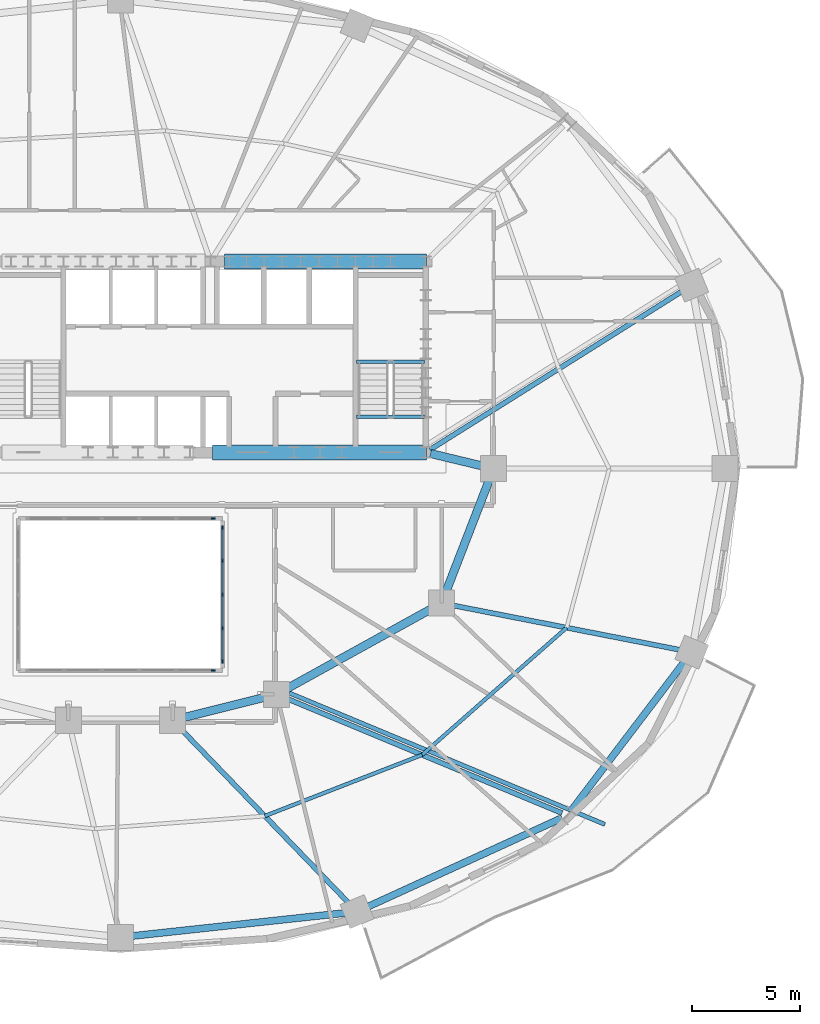
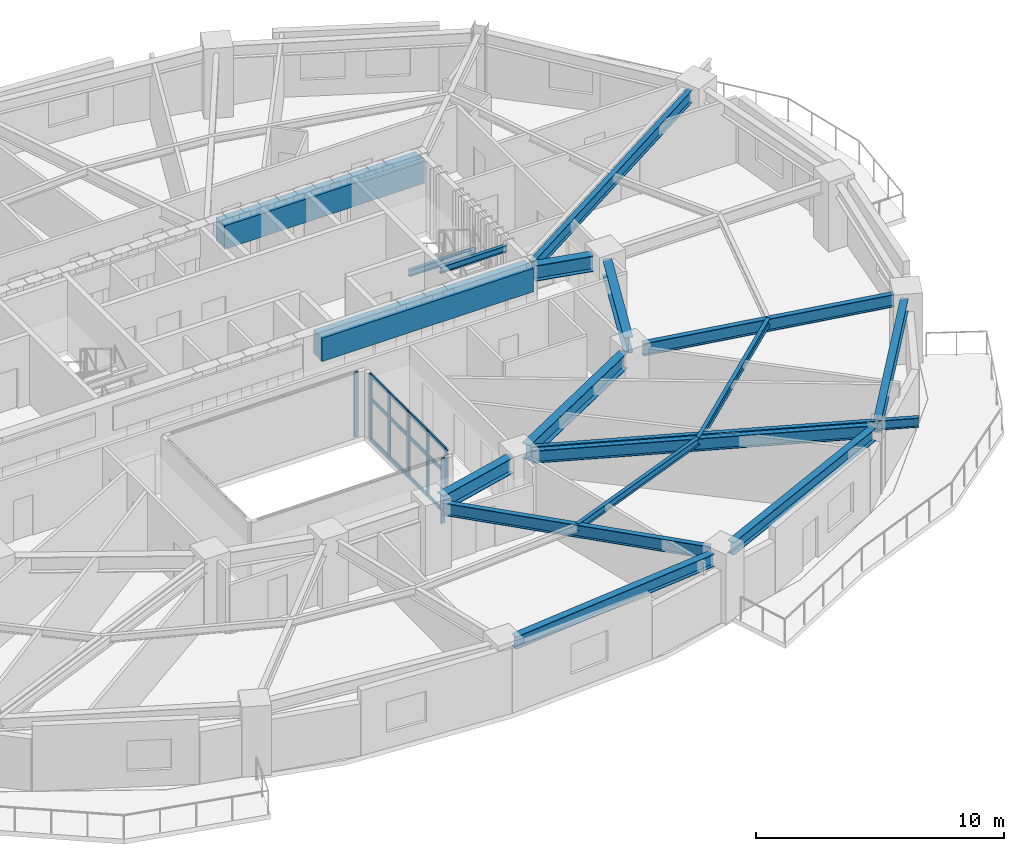
# One storey, part 4 of 14: 19 members, 18 beams, 3 elements without a shape of their own.
"""IFC4 building model written with IfcOpenShell, lengths in metres."""

from ifc_helpers import new_model, si_unit, direction, frame, origin, origin_2d, place, context, subcontext, project, spatial, rectangle, i_section, extrude, material, material_profile, profile_set, type_object, element, aggregate, save


model = new_model("IFC4")

# Units and contexts
model_context = context("Model", 3, precision=1e-05, world=origin(), true_north=direction((0.0, 1.0)))
body_context = subcontext(model_context, "Body", "Model", "MODEL_VIEW")
ifc_project = project(units=[si_unit("LENGTHUNIT", "METRE"), si_unit("AREAUNIT", "SQUARE_METRE"), si_unit("VOLUMEUNIT", "CUBIC_METRE"), si_unit("PLANEANGLEUNIT", "RADIAN"), si_unit("MASSUNIT", "GRAM", prefix="KILO")], contexts=[model_context])

# Site, building, storey
site_placement = place(None, origin())
site = spatial("IfcSite", under=ifc_project, at=site_placement, CompositionType="ELEMENT")
building_placement = place(site_placement, origin())
building = spatial("IfcBuilding", under=site, at=building_placement, Name="Haldorwick Loom Tower", CompositionType="ELEMENT")
storey_placement = place(building_placement, frame((0.0, 0.0, 95.60009765625)))
storey = spatial("IfcBuildingStorey", under=building, at=storey_placement, Name="L25", CompositionType="ELEMENT", Elevation=95.60009765625)

# Curtain wall, member
ifc_material_1 = material(Name="Thermally Broken Anodized Aluminium Curtain Wall Framing", Category="aluminium")
curtain_wall_type = type_object("IfcCurtainWallType", Name="ARC-CW-03", PredefinedType="NOTDEFINED", material=ifc_material_1)
curtain_wall_1_placement = place(storey_placement, origin())
curtain_wall_1 = element("IfcCurtainWall", 1, at=curtain_wall_1_placement, inside=storey, type_object=curtain_wall_type, Name="L25 Atrium Glazed Screen S", PredefinedType="NOTDEFINED")
ifc_material_profile_1 = material_profile(ifc_material_1, rectangle(XDim=0.06591796875, YDim=0.18505859375, at=origin_2d()), Name="ALU_MUL_66X185", Category="aluminium")
ifc_profile_set_1 = profile_set([ifc_material_profile_1], Name="Thermally Broken Anodized Aluminium Curtain Wall Framing")
member_type_1 = type_object("IfcMemberType", Name="ARC-CWM-03", PredefinedType="MULLION", material=ifc_profile_set_1)
member_1_placement = place(storey_placement, frame((40.26708984375, 16.699951171875, 0.0), z_axis=(0.0, 0.0, 1.0), x_axis=(0.0, -1.0, 0.0)))
member_1 = element("IfcMember", 2, at=member_1_placement, type_object=member_type_1, Name="CW-03 mullion 1", PredefinedType="MULLION", context=body_context, shape_type="SweptSolid", body=[
    extrude(rectangle(XDim=0.06591796875, YDim=0.18505859375, at=origin_2d()), origin(), (0.0, 0.0, 1.0), 3.2099609375),
])
aggregate(curtain_wall_1, [member_1])

curtain_wall_2_placement = place(storey_placement, origin())
curtain_wall_2 = element("IfcCurtainWall", 3, at=curtain_wall_2_placement, inside=storey, type_object=curtain_wall_type, Name="L25 Atrium Glazed Screen N", PredefinedType="NOTDEFINED")
member_2_placement = place(storey_placement, frame((40.26708984375, 23.699951171875, 0.0), z_axis=(0.0, 0.0, 1.0), x_axis=(0.0, 1.0, 0.0)))
member_2 = element("IfcMember", 4, at=member_2_placement, type_object=member_type_1, Name="CW-03 mullion 6", PredefinedType="MULLION", context=body_context, shape_type="SweptSolid", body=[
    extrude(rectangle(XDim=0.06591796875, YDim=0.18505859375, at=origin_2d()), origin(), (0.0, 0.0, 1.0), 3.2099609375),
])
aggregate(curtain_wall_2, [member_2])

# Curtain wall, members
curtain_wall_3_placement = place(storey_placement, origin())
curtain_wall_3 = element("IfcCurtainWall", 5, at=curtain_wall_3_placement, inside=storey, type_object=curtain_wall_type, Name="L25 Atrium Glazed Screen E", PredefinedType="NOTDEFINED")
member_3_placement = place(storey_placement, frame((40.699951171875, 23.26708984375, 0.0), z_axis=(0.0, 0.0, 1.0), x_axis=(1.0, 0.0, 0.0)))
member_3 = element("IfcMember", 6, at=member_3_placement, type_object=member_type_1, Name="CW-03 mullion 1", PredefinedType="MULLION", context=body_context, shape_type="SweptSolid", body=[
    extrude(rectangle(XDim=0.06591796875, YDim=0.18505859375, at=origin_2d()), origin(), (0.0, 0.0, 1.0), 3.2099609375),
])
member_4_placement = place(storey_placement, frame((40.699951171875, 21.75, 0.0), z_axis=(0.0, 0.0, 1.0), x_axis=(1.0, 0.0, 0.0)))
member_4 = element("IfcMember", 7, at=member_4_placement, type_object=member_type_1, Name="CW-03 mullion 2", PredefinedType="MULLION", context=body_context, shape_type="SweptSolid", body=[
    extrude(rectangle(XDim=0.06591796875, YDim=0.18505859375, at=origin_2d()), origin(), (0.0, 0.0, 1.0), 3.2099609375),
])
member_5_placement = place(storey_placement, frame((40.699951171875, 20.199951171875, 0.0), z_axis=(0.0, 0.0, 1.0), x_axis=(1.0, 0.0, 0.0)))
member_5 = element("IfcMember", 8, at=member_5_placement, type_object=member_type_1, Name="CW-03 mullion 3", PredefinedType="MULLION", context=body_context, shape_type="SweptSolid", body=[
    extrude(rectangle(XDim=0.06591796875, YDim=0.18505859375, at=origin_2d()), origin(), (0.0, 0.0, 1.0), 3.2099609375),
])
member_6_placement = place(storey_placement, frame((40.699951171875, 18.64990234375, 0.0), z_axis=(0.0, 0.0, 1.0), x_axis=(1.0, 0.0, 0.0)))
member_6 = element("IfcMember", 9, at=member_6_placement, type_object=member_type_1, Name="CW-03 mullion 4", PredefinedType="MULLION", context=body_context, shape_type="SweptSolid", body=[
    extrude(rectangle(XDim=0.06591796875, YDim=0.18505859375, at=origin_2d()), origin(), (0.0, 0.0, 1.0), 3.2099609375),
])
member_7_placement = place(storey_placement, frame((40.699951171875, 17.133056640625, 0.0), z_axis=(0.0, 0.0, 1.0), x_axis=(1.0, 0.0, 0.0)))
member_7 = element("IfcMember", 10, at=member_7_placement, type_object=member_type_1, Name="CW-03 mullion 5", PredefinedType="MULLION", context=body_context, shape_type="SweptSolid", body=[
    extrude(rectangle(XDim=0.06591796875, YDim=0.18505859375, at=origin_2d()), origin(), (0.0, 0.0, 1.0), 3.2099609375),
])
ifc_material_profile_2 = material_profile(ifc_material_1, rectangle(XDim=0.06591796875, YDim=0.1650390625, at=origin_2d()), Name="ALU_TRN_66X165", Category="aluminium")
ifc_profile_set_2 = profile_set([ifc_material_profile_2], Name="Thermally Broken Anodized Aluminium Curtain Wall Framing")
member_type_2 = type_object("IfcMemberType", Name="ARC-CWT-03", PredefinedType="USERDEFINED", material=ifc_profile_set_2)
member_8_placement = place(storey_placement, frame((40.699951171875, 23.23388671875, 0.032958984375), z_axis=(0.0, -1.0, 0.0), x_axis=(1.0, 0.0, 0.0)))
member_8 = element("IfcMember", 11, at=member_8_placement, type_object=member_type_2, Name="CW-03 transom 1.1", ObjectType="TRANSOM", PredefinedType="USERDEFINED", context=body_context, shape_type="SweptSolid", body=[
    extrude(rectangle(XDim=0.06591796875, YDim=0.1650390625, at=origin_2d()), origin(), (0.0, 0.0, 1.0), 1.450927734375),
])
member_9_placement = place(storey_placement, frame((40.699951171875, 23.23388671875, 2.0), z_axis=(0.0, -1.0, 0.0), x_axis=(1.0, 0.0, 0.0)))
member_9 = element("IfcMember", 12, at=member_9_placement, type_object=member_type_2, Name="CW-03 transom 1.2", ObjectType="TRANSOM", PredefinedType="USERDEFINED", context=body_context, shape_type="SweptSolid", body=[
    extrude(rectangle(XDim=0.06591796875, YDim=0.1650390625, at=origin_2d()), origin(), (0.0, 0.0, 1.0), 1.450927734375),
])
member_10_placement = place(storey_placement, frame((40.699951171875, 23.23388671875, 3.177001953125), z_axis=(0.0, -1.0, 0.0), x_axis=(1.0, 0.0, 0.0)))
member_10 = element("IfcMember", 13, at=member_10_placement, type_object=member_type_2, Name="CW-03 transom 1.3", ObjectType="TRANSOM", PredefinedType="USERDEFINED", context=body_context, shape_type="SweptSolid", body=[
    extrude(rectangle(XDim=0.06591796875, YDim=0.1650390625, at=origin_2d()), origin(), (0.0, 0.0, 1.0), 1.450927734375),
])
member_11_placement = place(storey_placement, frame((40.699951171875, 21.717041015625, 0.032958984375), z_axis=(0.0, -1.0, 0.0), x_axis=(1.0, 0.0, 0.0)))
member_11 = element("IfcMember", 14, at=member_11_placement, type_object=member_type_2, Name="CW-03 transom 2.1", ObjectType="TRANSOM", PredefinedType="USERDEFINED", context=body_context, shape_type="SweptSolid", body=[
    extrude(rectangle(XDim=0.06591796875, YDim=0.1650390625, at=origin_2d()), origin(), (0.0, 0.0, 1.0), 1.484130859375),
])
member_12_placement = place(storey_placement, frame((40.699951171875, 21.717041015625, 2.0), z_axis=(0.0, -1.0, 0.0), x_axis=(1.0, 0.0, 0.0)))
member_12 = element("IfcMember", 15, at=member_12_placement, type_object=member_type_2, Name="CW-03 transom 2.2", ObjectType="TRANSOM", PredefinedType="USERDEFINED", context=body_context, shape_type="SweptSolid", body=[
    extrude(rectangle(XDim=0.06591796875, YDim=0.1650390625, at=origin_2d()), origin(), (0.0, 0.0, 1.0), 1.484130859375),
])
member_13_placement = place(storey_placement, frame((40.699951171875, 21.717041015625, 3.177001953125), z_axis=(0.0, -1.0, 0.0), x_axis=(1.0, 0.0, 0.0)))
member_13 = element("IfcMember", 16, at=member_13_placement, type_object=member_type_2, Name="CW-03 transom 2.3", ObjectType="TRANSOM", PredefinedType="USERDEFINED", context=body_context, shape_type="SweptSolid", body=[
    extrude(rectangle(XDim=0.06591796875, YDim=0.1650390625, at=origin_2d()), origin(), (0.0, 0.0, 1.0), 1.484130859375),
])
member_14_placement = place(storey_placement, frame((40.699951171875, 20.1669921875, 0.032958984375), z_axis=(0.0, -1.0, 0.0), x_axis=(1.0, 0.0, 0.0)))
member_14 = element("IfcMember", 17, at=member_14_placement, type_object=member_type_2, Name="CW-03 transom 3.1", ObjectType="TRANSOM", PredefinedType="USERDEFINED", context=body_context, shape_type="SweptSolid", body=[
    extrude(rectangle(XDim=0.06591796875, YDim=0.1650390625, at=origin_2d()), origin(), (0.0, 0.0, 1.0), 1.48388671875),
])
member_15_placement = place(storey_placement, frame((40.699951171875, 20.1669921875, 2.0), z_axis=(0.0, -1.0, 0.0), x_axis=(1.0, 0.0, 0.0)))
member_15 = element("IfcMember", 18, at=member_15_placement, type_object=member_type_2, Name="CW-03 transom 3.2", ObjectType="TRANSOM", PredefinedType="USERDEFINED", context=body_context, shape_type="SweptSolid", body=[
    extrude(rectangle(XDim=0.06591796875, YDim=0.1650390625, at=origin_2d()), origin(), (0.0, 0.0, 1.0), 1.48388671875),
])
member_16_placement = place(storey_placement, frame((40.699951171875, 20.1669921875, 3.177001953125), z_axis=(0.0, -1.0, 0.0), x_axis=(1.0, 0.0, 0.0)))
member_16 = element("IfcMember", 19, at=member_16_placement, type_object=member_type_2, Name="CW-03 transom 3.3", ObjectType="TRANSOM", PredefinedType="USERDEFINED", context=body_context, shape_type="SweptSolid", body=[
    extrude(rectangle(XDim=0.06591796875, YDim=0.1650390625, at=origin_2d()), origin(), (0.0, 0.0, 1.0), 1.48388671875),
])
member_17_placement = place(storey_placement, frame((40.699951171875, 18.616943359375, 0.032958984375), z_axis=(0.0, -1.0, 0.0), x_axis=(1.0, 0.0, 0.0)))
member_17 = element("IfcMember", 20, at=member_17_placement, type_object=member_type_2, Name="CW-03 transom 4.1", ObjectType="TRANSOM", PredefinedType="USERDEFINED", context=body_context, shape_type="SweptSolid", body=[
    extrude(rectangle(XDim=0.06591796875, YDim=0.1650390625, at=origin_2d()), origin(), (0.0, 0.0, 1.0), 1.450927734375),
])
member_18_placement = place(storey_placement, frame((40.699951171875, 18.616943359375, 2.0), z_axis=(0.0, -1.0, 0.0), x_axis=(1.0, 0.0, 0.0)))
member_18 = element("IfcMember", 21, at=member_18_placement, type_object=member_type_2, Name="CW-03 transom 4.2", ObjectType="TRANSOM", PredefinedType="USERDEFINED", context=body_context, shape_type="SweptSolid", body=[
    extrude(rectangle(XDim=0.06591796875, YDim=0.1650390625, at=origin_2d()), origin(), (0.0, 0.0, 1.0), 1.450927734375),
])
member_19_placement = place(storey_placement, frame((40.699951171875, 18.616943359375, 3.177001953125), z_axis=(0.0, -1.0, 0.0), x_axis=(1.0, 0.0, 0.0)))
member_19 = element("IfcMember", 22, at=member_19_placement, type_object=member_type_2, Name="CW-03 transom 4.3", ObjectType="TRANSOM", PredefinedType="USERDEFINED", context=body_context, shape_type="SweptSolid", body=[
    extrude(rectangle(XDim=0.06591796875, YDim=0.1650390625, at=origin_2d()), origin(), (0.0, 0.0, 1.0), 1.450927734375),
])
aggregate(curtain_wall_3, [member_3, member_4, member_5, member_6, member_7, member_8, member_9, member_10, member_11, member_12, member_13, member_14, member_15, member_16, member_17, member_18, member_19])

# Beams
ifc_material_2 = material(Name="Steel CSA G40.21 350W", Category="steel")
ifc_material_profile_3 = material_profile(ifc_material_2, i_section(OverallWidth=0.193115234375, OverallDepth=0.466064453125, WebThickness=0.011474609375, FlangeThickness=0.01904296875, at=origin_2d()), Name="W460X97", Category="steel")
ifc_profile_set_3 = profile_set([ifc_material_profile_3], Name="Steel CSA G40.21 350W")
beam_type_1 = type_object("IfcBeamType", Name="STR-BM-BAL460", PredefinedType="BEAM", material=ifc_profile_set_3)
beam_1_placement = place(storey_placement, frame((43.78759765625, 15.65869140625, 2.976806640625), z_axis=(0.923187850755, -0.384349049976, 0.0), x_axis=(0.384349049976, 0.923187850755, 0.0)))
element("IfcBeam", 23, at=beam_1_placement, inside=storey, type_object=beam_type_1, Name="L25 Continuous Back-Spanned Balcony Beam 1", PredefinedType="BEAM", context=body_context, shape_type="SweptSolid", body=[
    extrude(i_section(OverallWidth=0.193115234375, OverallDepth=0.466064453125, WebThickness=0.011474609375, FlangeThickness=0.01904296875, at=origin_2d()), origin(), (0.0, 0.0, 1.0), 15.75244140625),
])
ifc_material_3 = material(Name="Concrete C60 (60 MPa)", Category="concrete")
ifc_material_profile_4 = material_profile(ifc_material_3, rectangle(XDim=0.699951171875, YDim=1.14990234375, at=origin_2d()), Name="RC700X1150", Category="concrete")
ifc_profile_set_4 = profile_set([ifc_material_profile_4], Name="Concrete C60 (60 MPa)")
beam_type_2 = type_object("IfcBeamType", Name="STR-BM-CB1150", PredefinedType="LINTEL", material=ifc_profile_set_4)
beam_2_placement = place(storey_placement, frame((40.800048828125, 35.550048828125, 2.635009765625), z_axis=(1.0, 0.0, 0.0), x_axis=(0.0, 1.0, 0.0)))
element("IfcBeam", 24, at=beam_2_placement, inside=storey, type_object=beam_type_2, Name="L25 Core Coupling Beam CB-N3", PredefinedType="LINTEL", context=body_context, shape_type="SweptSolid", body=[
    extrude(rectangle(XDim=0.699951171875, YDim=1.14990234375, at=origin_2d()), origin(), (0.0, 0.0, 1.0), 9.300048828125),
])
beam_3_placement = place(storey_placement, frame((40.25, 26.75, 2.635009765625), z_axis=(1.0, 0.0, 0.0), x_axis=(0.0, 1.0, 0.0)))
element("IfcBeam", 25, at=beam_3_placement, inside=storey, type_object=beam_type_2, Name="L25 Core Coupling Beam CB-S3", PredefinedType="LINTEL", context=body_context, shape_type="SweptSolid", body=[
    extrude(rectangle(XDim=0.699951171875, YDim=1.14990234375, at=origin_2d()), origin(), (0.0, 0.0, 1.0), 9.85009765625),
])
ifc_material_profile_5 = material_profile(ifc_material_2, i_section(OverallWidth=0.172119140625, OverallDepth=0.35791015625, WebThickness=0.0078125, FlangeThickness=0.01318359375, at=origin_2d()), Name="W360X57", Category="steel")
ifc_profile_set_5 = profile_set([ifc_material_profile_5], Name="Steel CSA G40.21 350W")
beam_type_3 = type_object("IfcBeamType", Name="STR-BM-J360", PredefinedType="JOIST", material=ifc_profile_set_5)
beam_4_placement = place(storey_placement, frame((42.6533203125, 9.9912109375, 3.031005859375), z_axis=(0.932072983051, 0.362270553959, 0.0), x_axis=(-0.362270553959, 0.932072983051, 0.0)))
element("IfcBeam", 26, at=beam_4_placement, inside=storey, type_object=beam_type_3, Name="L25 Mid-Bay Secondary Joist 14", PredefinedType="JOIST", context=body_context, shape_type="SweptSolid", body=[
    extrude(i_section(OverallWidth=0.172119140625, OverallDepth=0.35791015625, WebThickness=0.0078125, FlangeThickness=0.01318359375, at=origin_2d()), origin(), (0.0, 0.0, 1.0), 7.7783203125),
])
beam_5_placement = place(storey_placement, frame((49.9033203125, 12.80908203125, 3.031005859375), z_axis=(0.750721157729, 0.660619212057, 0.0), x_axis=(-0.660619212057, 0.750721157729, 0.0)))
element("IfcBeam", 27, at=beam_5_placement, inside=storey, type_object=beam_type_3, Name="L25 Mid-Bay Secondary Joist 15", PredefinedType="JOIST", context=body_context, shape_type="SweptSolid", body=[
    extrude(i_section(OverallWidth=0.172119140625, OverallDepth=0.35791015625, WebThickness=0.0078125, FlangeThickness=0.01318359375, at=origin_2d()), origin(), (0.0, 0.0, 1.0), 8.8740234375),
])
ifc_material_profile_6 = material_profile(ifc_material_2, i_section(OverallWidth=0.324951171875, OverallDepth=0.615966796875, WebThickness=0.013916015625, FlangeThickness=0.021484375, at=origin_2d()), Name="W610X174", Category="steel")
ifc_profile_set_6 = profile_set([ifc_material_profile_6], Name="Steel CSA G40.21 350W")
beam_type_4 = type_object("IfcBeamType", Name="STR-BM-SP610", PredefinedType="SPANDREL", material=ifc_profile_set_6)
beam_6_placement = place(storey_placement, frame((36.51708984375, 4.45751953125, 2.90185546875), z_axis=(0.994190135627, 0.107638163409, 0.0), x_axis=(-0.107638163409, 0.994190135627, 0.0)))
element("IfcBeam", 28, at=beam_6_placement, inside=storey, type_object=beam_type_4, Name="L25 Perimeter Spandrel 13", PredefinedType="SPANDREL", context=body_context, shape_type="SweptSolid", body=[
    extrude(i_section(OverallWidth=0.324951171875, OverallDepth=0.615966796875, WebThickness=0.013916015625, FlangeThickness=0.021484375, at=origin_2d()), origin(), (0.0, 0.0, 1.0), 9.929931640625),
])
beam_7_placement = place(storey_placement, frame((47.37939453125, 5.798583984375, 2.90185546875), z_axis=(0.909423969306, 0.415870225011, 0.0), x_axis=(-0.415870225011, 0.909423969306, 0.0)))
element("IfcBeam", 29, at=beam_7_placement, inside=storey, type_object=beam_type_4, Name="L25 Perimeter Spandrel 14", PredefinedType="SPANDREL", context=body_context, shape_type="SweptSolid", body=[
    extrude(i_section(OverallWidth=0.324951171875, OverallDepth=0.615966796875, WebThickness=0.013916015625, FlangeThickness=0.021484375, at=origin_2d()), origin(), (0.0, 0.0, 1.0), 9.871337890625),
])
beam_8_placement = place(storey_placement, frame((56.773193359375, 10.2373046875, 2.90185546875), z_axis=(0.605453508047, 0.795880675475, 0.0), x_axis=(-0.795880675475, 0.605453508047, 0.0)))
element("IfcBeam", 30, at=beam_8_placement, inside=storey, type_object=beam_type_4, Name="L25 Perimeter Spandrel 15", PredefinedType="SPANDREL", context=body_context, shape_type="SweptSolid", body=[
    extrude(i_section(OverallWidth=0.324951171875, OverallDepth=0.615966796875, WebThickness=0.013916015625, FlangeThickness=0.021484375, at=origin_2d()), origin(), (0.0, 0.0, 1.0), 8.6591796875),
])
ifc_material_profile_7 = material_profile(ifc_material_2, i_section(OverallWidth=0.166015625, OverallDepth=0.31298828125, WebThickness=0.006591796875, FlangeThickness=0.01123046875, at=origin_2d()), Name="W310X45", Category="steel")
ifc_profile_set_7 = profile_set([ifc_material_profile_7], Name="Steel CSA G40.21 350W")
beam_type_5 = type_object("IfcBeamType", Name="STR-BM-STRM", PredefinedType="BEAM", material=ifc_profile_set_7)
for number, where, z_axis, x_axis, name in (
    (31, (46.889892578125, 28.39990234375, 3.053466796875), (1.0, 0.0, 0.0), (0.0, 1.0, 0.0), "L25 Stair ST-02 Landing Edge Trimmer"),
    (32, (46.889892578125, 30.919921875, 1.368408203125), (1.0, 0.0, 0.0), (0.0, 1.0, 0.0), "L25 Stair ST-02 Half-Landing Trimmer 1"),
):
    element("IfcBeam", number, at=place(storey_placement, frame(where, z_axis=z_axis, x_axis=x_axis)), inside=storey, type_object=beam_type_5, Name=name, PredefinedType="BEAM", context=body_context, shape_type="SweptSolid", body=[
        extrude(i_section(OverallWidth=0.166015625, OverallDepth=0.31298828125, WebThickness=0.006591796875, FlangeThickness=0.01123046875, at=origin_2d()), origin(), (0.0, 0.0, 1.0), 3.1201171875),
    ])
ifc_material_profile_8 = material_profile(ifc_material_2, i_section(OverallWidth=0.22998046875, OverallDepth=0.616943359375, WebThickness=0.01318359375, FlangeThickness=0.022216796875, at=origin_2d()), Name="W610X140", Category="steel")
ifc_profile_set_8 = profile_set([ifc_material_profile_8], Name="Steel CSA G40.21 350W")
beam_type_6 = type_object("IfcBeamType", Name="STR-BM-W610B", PredefinedType="BEAM", material=ifc_profile_set_8)
beam_9_placement = place(storey_placement, frame((50.260498046875, 26.86962890625, 2.9013671875), z_axis=(0.846609551433, 0.532214493811, 0.0), x_axis=(-0.532214493811, 0.846609551433, 0.0)))
element("IfcBeam", 33, at=beam_9_placement, inside=storey, type_object=beam_type_6, Name="L25 Radial Floor Girder 2", PredefinedType="BEAM", context=body_context, shape_type="SweptSolid", body=[
    extrude(i_section(OverallWidth=0.22998046875, OverallDepth=0.616943359375, WebThickness=0.01318359375, FlangeThickness=0.022216796875, at=origin_2d()), origin(), (0.0, 0.0, 1.0), 13.737060546875),
])
beam_10_placement = place(storey_placement, frame((38.760986328125, 14.02587890625, 2.9013671875), z_axis=(0.694287071595, -0.719698174387, 0.0), x_axis=(0.719698174387, 0.694287071595, 0.0)))
element("IfcBeam", 34, at=beam_10_placement, inside=storey, type_object=beam_type_6, Name="L25 Radial Floor Girder 14", PredefinedType="BEAM", context=body_context, shape_type="SweptSolid", body=[
    extrude(i_section(OverallWidth=0.22998046875, OverallDepth=0.616943359375, WebThickness=0.01318359375, FlangeThickness=0.022216796875, at=origin_2d()), origin(), (0.0, 0.0, 1.0), 11.212158203125),
])
beam_11_placement = place(storey_placement, frame((43.68017578125, 15.400146484375, 2.9013671875), z_axis=(0.923183704764, -0.384359008297, 0.0), x_axis=(0.384359008297, 0.923183704764, 0.0)))
element("IfcBeam", 35, at=beam_11_placement, inside=storey, type_object=beam_type_6, Name="L25 Radial Floor Girder 15", PredefinedType="BEAM", context=body_context, shape_type="SweptSolid", body=[
    extrude(i_section(OverallWidth=0.22998046875, OverallDepth=0.616943359375, WebThickness=0.01318359375, FlangeThickness=0.022216796875, at=origin_2d()), origin(), (0.0, 0.0, 1.0), 13.72705078125),
])
beam_12_placement = place(storey_placement, frame((51.310302734375, 19.7001953125, 2.9013671875), z_axis=(0.981369581426, -0.192129499692, 0.0), x_axis=(0.192129499692, 0.981369581426, 0.0)))
element("IfcBeam", 36, at=beam_12_placement, inside=storey, type_object=beam_type_6, Name="L25 Radial Floor Girder 16", PredefinedType="BEAM", context=body_context, shape_type="SweptSolid", body=[
    extrude(i_section(OverallWidth=0.22998046875, OverallDepth=0.616943359375, WebThickness=0.01318359375, FlangeThickness=0.022216796875, at=origin_2d()), origin(), (0.0, 0.0, 1.0), 10.70947265625),
])
ifc_material_profile_9 = material_profile(ifc_material_2, i_section(OverallWidth=0.381103515625, OverallDepth=0.77294921875, WebThickness=0.0166015625, FlangeThickness=0.027587890625, at=origin_2d()), Name="W760X257", Category="steel")
ifc_profile_set_9 = profile_set([ifc_material_profile_9], Name="Steel CSA G40.21 350W")
beam_type_7 = type_object("IfcBeamType", Name="STR-BM-W760", PredefinedType="BEAM", material=ifc_profile_set_9)
beam_13_placement = place(storey_placement, frame((50.288818359375, 26.697509765625, 2.823486328125), z_axis=(0.97247055837, -0.233025777764, 0.0), x_axis=(0.233025777764, 0.97247055837, 0.0)))
element("IfcBeam", 37, at=beam_13_placement, inside=storey, type_object=beam_type_7, Name="L25 Inner Ring Girder 1", PredefinedType="BEAM", context=body_context, shape_type="SweptSolid", body=[
    extrude(i_section(OverallWidth=0.381103515625, OverallDepth=0.77294921875, WebThickness=0.0166015625, FlangeThickness=0.027587890625, at=origin_2d()), origin(), (0.0, 0.0, 1.0), 2.4736328125),
])
beam_14_placement = place(storey_placement, frame((53.01220703125, 25.51513671875, 2.823486328125), z_axis=(-0.360964792353, -0.93257944363, 0.0), x_axis=(0.93257944363, -0.360964792353, 0.0)))
element("IfcBeam", 38, at=beam_14_placement, inside=storey, type_object=beam_type_7, Name="L25 Inner Ring Girder 2", PredefinedType="BEAM", context=body_context, shape_type="SweptSolid", body=[
    extrude(i_section(OverallWidth=0.381103515625, OverallDepth=0.77294921875, WebThickness=0.0166015625, FlangeThickness=0.027587890625, at=origin_2d()), origin(), (0.0, 0.0, 1.0), 5.6083984375),
])
beam_15_placement = place(storey_placement, frame((50.344970703125, 19.548583984375, 2.823486328125), z_axis=(-0.875244382146, -0.483680960471, 0.0), x_axis=(0.483680960471, -0.875244382146, 0.0)))
element("IfcBeam", 39, at=beam_15_placement, inside=storey, type_object=beam_type_7, Name="L25 Inner Ring Girder 3", PredefinedType="BEAM", context=body_context, shape_type="SweptSolid", body=[
    extrude(i_section(OverallWidth=0.381103515625, OverallDepth=0.77294921875, WebThickness=0.0166015625, FlangeThickness=0.027587890625, at=origin_2d()), origin(), (0.0, 0.0, 1.0), 7.6435546875),
])
beam_16_placement = place(storey_placement, frame((42.695556640625, 15.473876953125, 2.823486328125), z_axis=(-0.970142500145, -0.242535625036, 0.0), x_axis=(0.242535625036, -0.970142500145, 0.0)))
element("IfcBeam", 40, at=beam_16_placement, inside=storey, type_object=beam_type_7, Name="L25 Inner Ring Girder 4", PredefinedType="BEAM", context=body_context, shape_type="SweptSolid", body=[
    extrude(i_section(OverallWidth=0.381103515625, OverallDepth=0.77294921875, WebThickness=0.0166015625, FlangeThickness=0.027587890625, at=origin_2d()), origin(), (0.0, 0.0, 1.0), 3.90771484375),
])

save(model, "model.ifc")
